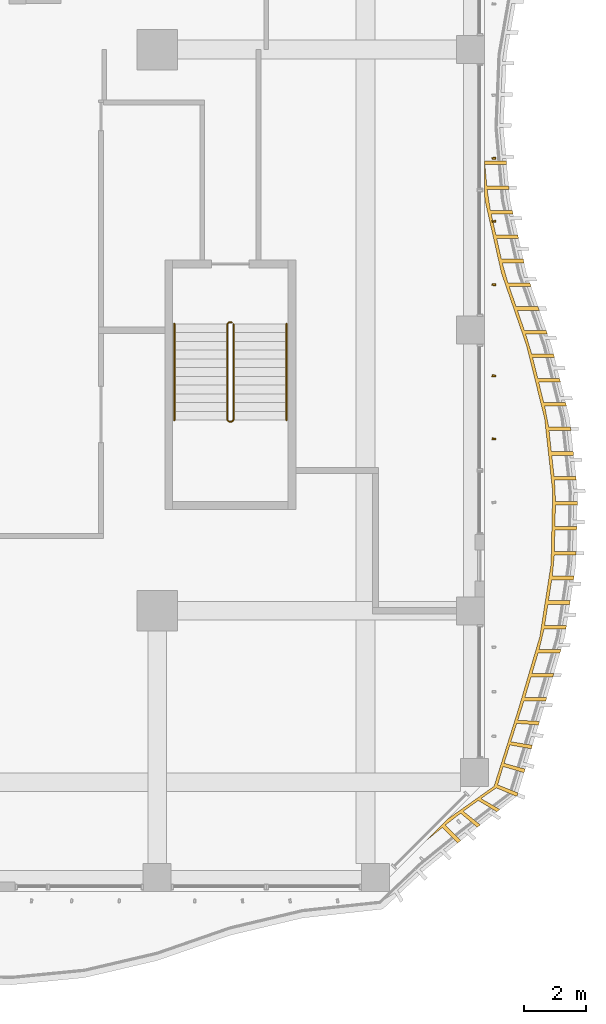
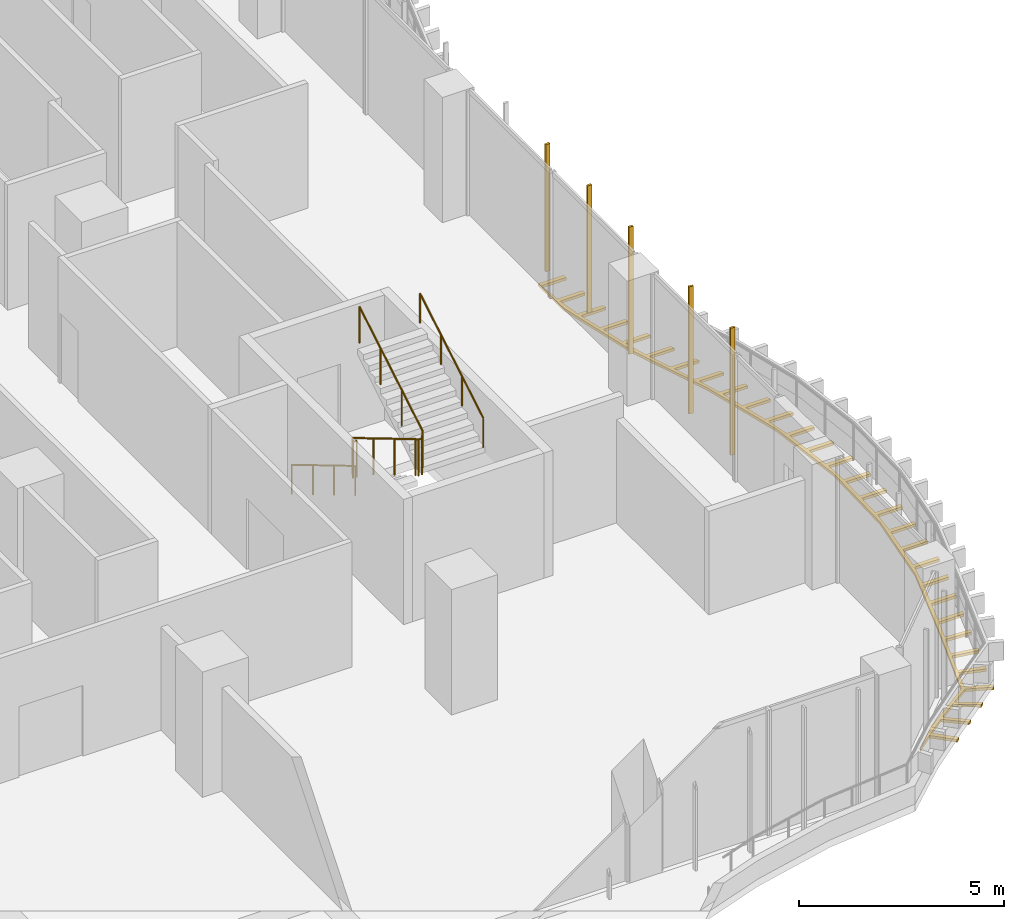
# One storey, part 23 of 27: 6 shading devices, 3 railings.
"""IFC4 building model written with IfcOpenShell, lengths in metres."""

import ifcopenshell
import ifcopenshell.guid

model = None  # the IFC model being written
_history = None  # IfcOwnerHistory: only IFC2X3 demands one
_inside = {}  # id of a spatial element -> (the spatial element, [elements in it])
_under = {}  # id of a project, library or spatial element -> (it, [spatial elements below it])
_declared = {}  # id of a project -> (the project, [libraries it declares])
_typed = {}  # id of a type object -> (the type object, [elements of that type])
_made_of = {}  # id of a material, layer set ... -> (it, [elements and type objects made of it])


def new_model(schema):
    """Start an empty IFC model of exactly this schema.

    Asked for "IFC4X3", IfcOpenShell would pick the latest addendum, in which some entities
    have other attributes; the version numbers below select the first issue.
    IFC2X3 requires an IfcOwnerHistory on every rooted entity: one is made here for all.
    """
    global model, _history
    if schema == "IFC4X3":
        model = ifcopenshell.file(schema_version=(4, 3, 0, 0))
    else:
        model = ifcopenshell.file(schema=schema)
    _inside.clear()
    _under.clear()
    _declared.clear()
    _typed.clear()
    _made_of.clear()
    _history = None
    if model.schema == "IFC2X3":
        org = make("IfcOrganization", Name="unknown")
        user = make(
            "IfcPersonAndOrganization",
            ThePerson=make("IfcPerson", FamilyName="unknown"),
            TheOrganization=org,
        )
        app = make(
            "IfcApplication",
            ApplicationDeveloper=org,
            Version="unknown",
            ApplicationFullName="unknown",
            ApplicationIdentifier="unknown",
        )
        _history = make(
            "IfcOwnerHistory",
            OwningUser=user,
            OwningApplication=app,
            ChangeAction="ADDED",
            CreationDate=0,
        )
    return model


def make(cls, **values):
    """One entity of the class cls with the attributes given. An attribute that is None is left unset."""
    return model.create_entity(
        cls, **{name: value for name, value in values.items() if value is not None}
    )


def rooted(cls, **values):
    """An entity with a GlobalId (a new one), such as an element, a storey or a relation."""
    return make(cls, GlobalId=ifcopenshell.guid.new(), OwnerHistory=_history, **values)


def si_unit(unit_type, name, prefix=None):
    """IfcSIUnit, for example si_unit("LENGTHUNIT", "METRE", prefix="MILLI")."""
    return make("IfcSIUnit", UnitType=unit_type, Prefix=prefix, Name=name)


def assignment(units):
    """IfcUnitAssignment: the units of a project."""
    return None if units is None else make("IfcUnitAssignment", Units=units)


def point(xyz):
    """IfcCartesianPoint."""
    return None if xyz is None else make("IfcCartesianPoint", Coordinates=xyz)


def direction(xyz):
    """IfcDirection."""
    return None if xyz is None else make("IfcDirection", DirectionRatios=xyz)


def frame(location, z_axis=None, x_axis=None):
    """IfcAxis2Placement3D, a coordinate frame: its origin and axes. An axis left out is left unset."""
    return make(
        "IfcAxis2Placement3D",
        Location=point(location),
        Axis=direction(z_axis),
        RefDirection=direction(x_axis),
    )


def frame_2d(location, x_axis=None):
    """IfcAxis2Placement2D, a coordinate frame in the plane: its origin and x axis."""
    return make(
        "IfcAxis2Placement2D", Location=point(location), RefDirection=direction(x_axis)
    )


def origin():
    """The frame at (0, 0, 0) with its axes left unset."""
    return frame((0.0, 0.0, 0.0))


def origin_2d():
    """The frame at (0, 0) in the plane with its x axis left unset."""
    return frame_2d((0.0, 0.0))


def place(relative_to, where):
    """IfcLocalPlacement: puts the frame where relative to a parent placement (None: the world)."""
    return make(
        "IfcLocalPlacement", PlacementRelTo=relative_to, RelativePlacement=where
    )


def context(
    kind, dimensions, precision=None, world=None, true_north=None, identifier=None
):
    """IfcGeometricRepresentationContext, for example the 3D "Model" context."""
    return make(
        "IfcGeometricRepresentationContext",
        ContextIdentifier=identifier,
        ContextType=kind,
        CoordinateSpaceDimension=dimensions,
        Precision=precision,
        WorldCoordinateSystem=world,
        TrueNorth=true_north,
    )


def subcontext(parent, identifier, kind, view, scale=None):
    """IfcGeometricRepresentationSubContext, for example "Body" below "Model"."""
    return make(
        "IfcGeometricRepresentationSubContext",
        ContextIdentifier=identifier,
        ContextType=kind,
        ParentContext=parent,
        TargetScale=scale,
        TargetView=view,
    )


def project(units=None, contexts=None):
    """IfcProject with its units and contexts."""
    return rooted(
        "IfcProject",
        Name="project",
        RepresentationContexts=contexts,
        UnitsInContext=assignment(units),
    )


def spatial(cls, under=None, at=None, **own):
    """A site, building, storey or space (cls), placed at a placement, below another one or the project."""
    s = rooted(cls, ObjectPlacement=at, **own)
    if under is not None:
        _under.setdefault(under.id(), (under, []))[1].append(s)
    return s


def polyline(points):
    """IfcPolyline through the points."""
    return make("IfcPolyline", Points=[point(p) for p in points])


def profile(cls, at=None, kind="AREA", **sizes):
    """A parametric profile (cls). Its sizes go by their IFC names, for example OverallWidth=200.0."""
    return make(cls, ProfileType=kind, Position=at, **sizes)


def rectangle(**sizes):
    """IfcRectangleProfileDef."""
    return profile("IfcRectangleProfileDef", **sizes)


def circle(**sizes):
    """IfcCircleProfileDef."""
    return profile("IfcCircleProfileDef", **sizes)


def outline(outer, holes=None, kind="AREA"):
    """IfcArbitraryClosedProfileDef: a profile drawn as a closed curve; with holes, ...WithVoids."""
    if holes is None:
        return make("IfcArbitraryClosedProfileDef", ProfileType=kind, OuterCurve=outer)
    return make(
        "IfcArbitraryProfileDefWithVoids",
        ProfileType=kind,
        OuterCurve=outer,
        InnerCurves=holes,
    )


def extrude(swept, where, along, depth):
    """IfcExtrudedAreaSolid: the profile swept, set in the frame where, extruded along a direction by depth."""
    return make(
        "IfcExtrudedAreaSolid",
        SweptArea=swept,
        Position=where,
        ExtrudedDirection=direction(along),
        Depth=depth,
    )


def shape(context_of_items, identifier, shape_type, items):
    """IfcShapeRepresentation: the items that make up one representation, for example the "Body"."""
    return make(
        "IfcShapeRepresentation",
        ContextOfItems=context_of_items,
        RepresentationIdentifier=identifier,
        RepresentationType=shape_type,
        Items=items,
    )


def source(mapping_origin, context_of_items, identifier, shape_type, items):
    """IfcRepresentationMap: a shape defined once, which mapped items show again and again."""
    return make(
        "IfcRepresentationMap",
        MappingOrigin=mapping_origin,
        MappedRepresentation=shape(context_of_items, identifier, shape_type, items),
    )


def transform(
    local_origin,
    x_axis=None,
    y_axis=None,
    z_axis=None,
    scale=None,
    scale2=None,
    scale3=None,
    uniform=True,
):
    """IfcCartesianTransformationOperator3D, or its non-uniform kind. x_axis, y_axis, z_axis: its Axis1, 2, 3."""
    if uniform:
        return make(
            "IfcCartesianTransformationOperator3D",
            Axis1=direction(x_axis),
            Axis2=direction(y_axis),
            LocalOrigin=point(local_origin),
            Scale=scale,
            Axis3=direction(z_axis),
        )
    return make(
        "IfcCartesianTransformationOperator3DnonUniform",
        Axis1=direction(x_axis),
        Axis2=direction(y_axis),
        LocalOrigin=point(local_origin),
        Scale=scale,
        Axis3=direction(z_axis),
        Scale2=scale2,
        Scale3=scale3,
    )


def mapped(mapping_source, mapping_target):
    """IfcMappedItem: shows the shape of a source again, moved by a transform."""
    return make(
        "IfcMappedItem", MappingSource=mapping_source, MappingTarget=mapping_target
    )


def material(Name=None, Category=None):
    """IfcMaterial."""
    return make("IfcMaterial", Name=Name, Category=Category)


def layer(
    of_material, thickness, ventilated=None, Name=None, Category=None, Priority=None
):
    """IfcMaterialLayer: one layer of a wall or slab, of a material (None: an air gap)."""
    return make(
        "IfcMaterialLayer",
        Material=of_material,
        LayerThickness=thickness,
        IsVentilated=ventilated,
        Name=Name,
        Category=Category,
        Priority=Priority,
    )


def layer_set(layers, Name=None):
    """IfcMaterialLayerSet."""
    return make("IfcMaterialLayerSet", MaterialLayers=layers, LayerSetName=Name)


def material_profile(
    of_material, cross_section, Name=None, Category=None, Priority=None
):
    """IfcMaterialProfile: a cross section and its material."""
    return make(
        "IfcMaterialProfile",
        Name=Name,
        Material=of_material,
        Profile=cross_section,
        Priority=Priority,
        Category=Category,
    )


def profile_set(profiles, Name=None, composite=None):
    """IfcMaterialProfileSet."""
    return make(
        "IfcMaterialProfileSet",
        Name=Name,
        MaterialProfiles=profiles,
        CompositeProfile=composite,
    )


def made_of(thing, what):
    """Note that an element or type object is made of a material, layer set ...; save() writes the relation."""
    if what is not None:
        _made_of.setdefault(what.id(), (what, []))[1].append(thing)
    return thing


def type_object(cls, material=None, **own):
    """A type object (cls), such as IfcWallType, which elements share."""
    return made_of(rooted(cls, **own), material)


def element(
    cls,
    number,
    at=None,
    inside=None,
    cuts=None,
    type_object=None,
    material=None,
    context=None,
    identifier="Body",
    shape_type=None,
    held_by="IfcProductDefinitionShape",
    body=None,
    shapes=None,
    **own,
):
    """One element of the class cls, such as IfcWall. Its Tag is "e" and its number.

    at: its placement. inside: the storey or other place that contains it. cuts: it is an
    opening in that element (IfcRelVoidsElement). A single representation is given by context,
    identifier, shape_type and body (its items); several are given by shapes. held_by: the class
    of the entity that holds the representations. save() writes the other relations.
    """
    e = rooted(cls, Tag="e%d" % number, ObjectPlacement=at, **own)
    if body is not None:
        shapes = [shape(context, identifier, shape_type, body)]
    if shapes is not None:
        e.Representation = make(held_by, Representations=shapes)
    if inside is not None:
        _inside.setdefault(inside.id(), (inside, []))[1].append(e)
    if cuts is not None:
        rooted(
            "IfcRelVoidsElement", RelatingBuildingElement=cuts, RelatedOpeningElement=e
        )
    if type_object is not None:
        _typed.setdefault(type_object.id(), (type_object, []))[1].append(e)
    return made_of(e, material)


def aggregate(whole, parts):
    """IfcRelAggregates: a whole, such as a stair, and the parts it consists of."""
    return rooted("IfcRelAggregates", RelatingObject=whole, RelatedObjects=parts)


def save(model, path):
    """Write the relations noted so far, then the file.

    IfcRelAggregates (storeys below a building ...), IfcRelContainedInSpatialStructure (elements
    in a storey), IfcRelDefinesByType, IfcRelAssociatesMaterial and IfcRelDeclares: one each for
    every whole, place, type object, material and project.
    """
    for whole, parts in _under.values():
        aggregate(whole, parts)
    for where, things in _inside.values():
        rooted(
            "IfcRelContainedInSpatialStructure",
            RelatedElements=things,
            RelatingStructure=where,
        )
    for kind, things in _typed.values():
        rooted("IfcRelDefinesByType", RelatedObjects=things, RelatingType=kind)
    for what, things in _made_of.values():
        rooted("IfcRelAssociatesMaterial", RelatedObjects=things, RelatingMaterial=what)
    for by, libraries in _declared.values():
        rooted("IfcRelDeclares", RelatingContext=by, RelatedDefinitions=libraries)
    model.write(path)


model = new_model("IFC4")

# Units and contexts
model_context = context("Model", 3, precision=1e-05, world=origin(), true_north=direction((0.0, 1.0)))
body_context = subcontext(model_context, "Body", "Model", "MODEL_VIEW")
ifc_project = project(units=[si_unit("LENGTHUNIT", "METRE"), si_unit("AREAUNIT", "SQUARE_METRE"), si_unit("VOLUMEUNIT", "CUBIC_METRE"), si_unit("PLANEANGLEUNIT", "RADIAN"), si_unit("MASSUNIT", "GRAM", prefix="KILO")], contexts=[model_context])

# Site, building, storey
site_placement = place(None, origin())
site = spatial("IfcSite", under=ifc_project, at=site_placement, CompositionType="ELEMENT")
building_placement = place(site_placement, origin())
building = spatial("IfcBuilding", under=site, at=building_placement, Name="Kilnfold Tower and Market Hall", CompositionType="ELEMENT")
storey_placement = place(building_placement, frame((0.0, 0.0, 43.0)))
storey = spatial("IfcBuildingStorey", under=building, at=storey_placement, Name="L09", CompositionType="ELEMENT", Elevation=43.0)

# Railings
ifc_material_1 = material(Name="Stainless steel 316", Category="steel")
railing_type_1 = type_object("IfcRailingType", Name="CORE STAIR GUARD 1100", PredefinedType="GUARDRAIL", material=ifc_material_1)
railing_1_placement = place(storey_placement, frame((19.89990234375, -9.75, 0.0)))
element("IfcRailing", 1, at=railing_1_placement, inside=storey, type_object=railing_type_1, Name="L09 ST4 stair guard 1", PredefinedType="GUARDRAIL", context=body_context, shape_type="SweptSolid", body=[
    extrude(circle(Radius=0.02392578125, at=origin_2d()), frame((0.0, 0.0, 1.076171875), z_axis=(-1.0, 0.0, 0.0), x_axis=(0.0, -1.0, 0.0)), (0.0, 0.0, 1.0), 0.099853515625),
    extrude(circle(Radius=0.02392578125, at=origin_2d()), frame((-0.099853515625, 0.0, 1.076171875), z_axis=(-0.27628659633, -0.27628659633, 0.920506074601), x_axis=(0.707106781187, -0.707106781187, 0.0)), (0.0, 0.0, 1.0), 0.18115234375),
    extrude(circle(Radius=0.02392578125, at=origin_2d()), frame((-0.14990234375, -0.050048828125, 1.24267578125), z_axis=(0.0, -0.859290745958, 0.51148745235), x_axis=(1.0, 0.0, 0.0)), (0.0, 0.0, 1.0), 3.584228515625),
    extrude(circle(Radius=0.02392578125, at=origin_2d()), frame((-0.14990234375, -3.1298828125, 3.076171875), z_axis=(0.707106781187, -0.707106781187, 0.0), x_axis=(0.707106781187, 0.707106781187, 0.0)), (0.0, 0.0, 1.0), 0.07080078125),
    extrude(circle(Radius=0.02392578125, at=origin_2d()), frame((-0.099853515625, -3.179931640625, 3.076171875), z_axis=(1.0, 0.0, 0.0), x_axis=(0.0, 1.0, 0.0)), (0.0, 0.0, 1.0), 0.099853515625),
    extrude(circle(Radius=0.02392578125, at=origin_2d()), frame((0.0, -3.179931640625, 3.076171875), z_axis=(0.27628659633, 0.27628659633, 0.920506074601), x_axis=(-0.707106781187, 0.707106781187, 0.0)), (0.0, 0.0, 1.0), 0.18115234375),
    extrude(circle(Radius=0.02392578125, at=origin_2d()), frame((0.050048828125, -3.1298828125, 3.24267578125), z_axis=(0.0, 0.859290745958, 0.51148745235), x_axis=(-1.0, 0.0, 0.0)), (0.0, 0.0, 1.0), 3.584228515625),
    extrude(circle(Radius=0.02099609375, at=origin_2d()), origin(), (0.0, 0.0, 1.0), 1.052001953125),
    extrude(circle(Radius=0.02099609375, at=origin_2d()), frame((-0.099853515625, 0.0, 0.0)), (0.0, 0.0, 1.0), 1.052001953125),
    extrude(circle(Radius=0.02099609375, at=origin_2d()), frame((-0.14990234375, -0.050048828125, 0.166748046875)), (0.0, 0.0, 1.0), 1.052001953125),
    extrude(circle(Radius=0.02099609375, at=origin_2d()), frame((-0.14990234375, -1.07666015625, 0.77783203125)), (0.0, 0.0, 1.0), 1.052001953125),
    extrude(circle(Radius=0.02099609375, at=origin_2d()), frame((-0.14990234375, -2.103271484375, 1.388916015625)), (0.0, 0.0, 1.0), 1.052001953125),
    extrude(circle(Radius=0.02099609375, at=origin_2d()), frame((-0.14990234375, -3.1298828125, 2.0)), (0.0, 0.0, 1.0), 1.052001953125),
    extrude(circle(Radius=0.02099609375, at=origin_2d()), frame((-0.099853515625, -3.179931640625, 2.0)), (0.0, 0.0, 1.0), 1.052001953125),
    extrude(circle(Radius=0.02099609375, at=origin_2d()), frame((0.0, -3.179931640625, 2.0)), (0.0, 0.0, 1.0), 1.052001953125),
    extrude(circle(Radius=0.02099609375, at=origin_2d()), frame((0.050048828125, -3.1298828125, 2.166748046875)), (0.0, 0.0, 1.0), 1.052001953125),
    extrude(circle(Radius=0.02099609375, at=origin_2d()), frame((0.050048828125, -2.103271484375, 2.77783203125)), (0.0, 0.0, 1.0), 1.052001953125),
    extrude(circle(Radius=0.02099609375, at=origin_2d()), frame((0.050048828125, -1.07666015625, 3.388916015625)), (0.0, 0.0, 1.0), 1.052001953125),
    extrude(circle(Radius=0.02099609375, at=origin_2d()), frame((0.050048828125, -0.050048828125, 4.0)), (0.0, 0.0, 1.0), 1.052001953125),
])
ifc_material_2 = material(Name="Stainless steel 316", Category="steel")
railing_type_2 = type_object("IfcRailingType", Name="CORE STAIR HANDRAIL 900", PredefinedType="HANDRAIL", material=ifc_material_2)
railing_2_placement = place(storey_placement, frame((18.050048828125, -9.800048828125, 0.166748046875)))
element("IfcRailing", 2, at=railing_2_placement, inside=storey, type_object=railing_type_2, Name="L09 ST4 stair handrail 1", PredefinedType="HANDRAIL", context=body_context, shape_type="SweptSolid", body=[
    extrude(circle(Radius=0.02392578125, at=origin_2d()), frame((0.0, 0.0, 0.8759765625), z_axis=(0.0, -0.859290745958, 0.51148745235), x_axis=(1.0, 0.0, 0.0)), (0.0, 0.0, 1.0), 3.584228515625),
    extrude(circle(Radius=0.02099609375, at=origin_2d()), origin(), (0.0, 0.0, 1.0), 0.851806640625),
    extrude(circle(Radius=0.02099609375, at=origin_2d()), frame((0.0, -1.026611328125, 0.611083984375)), (0.0, 0.0, 1.0), 0.851806640625),
    extrude(circle(Radius=0.02099609375, at=origin_2d()), frame((0.0, -2.05322265625, 1.22216796875)), (0.0, 0.0, 1.0), 0.851806640625),
    extrude(circle(Radius=0.02099609375, at=origin_2d()), frame((0.0, -3.079833984375, 1.833251953125)), (0.0, 0.0, 1.0), 0.851806640625),
])
railing_3_placement = place(storey_placement, frame((21.64990234375, -12.8798828125, 2.166748046875)))
element("IfcRailing", 3, at=railing_3_placement, inside=storey, type_object=railing_type_2, Name="L09 ST4 stair handrail 2", PredefinedType="HANDRAIL", context=body_context, shape_type="SweptSolid", body=[
    extrude(circle(Radius=0.02392578125, at=origin_2d()), frame((0.0, 0.0, 0.8759765625), z_axis=(0.0, 0.859290745958, 0.51148745235), x_axis=(-1.0, 0.0, 0.0)), (0.0, 0.0, 1.0), 3.584228515625),
    extrude(circle(Radius=0.02099609375, at=origin_2d()), origin(), (0.0, 0.0, 1.0), 0.851806640625),
    extrude(circle(Radius=0.02099609375, at=origin_2d()), frame((0.0, 1.026611328125, 0.611083984375)), (0.0, 0.0, 1.0), 0.851806640625),
    extrude(circle(Radius=0.02099609375, at=origin_2d()), frame((0.0, 2.05322265625, 1.22216796875)), (0.0, 0.0, 1.0), 0.851806640625),
    extrude(circle(Radius=0.02099609375, at=origin_2d()), frame((0.0, 3.079833984375, 1.833251953125)), (0.0, 0.0, 1.0), 0.851806640625),
])

# Shading devices
ifc_material_3 = material(Name="Terracotta", Category="masonry")
ifc_material_profile = material_profile(ifc_material_3, rectangle(XDim=0.06005859375, YDim=0.1201171875, at=origin_2d()), Name="BAG 60x120")
ifc_profile_set = profile_set([ifc_material_profile], Name="Terracotta")
shading_device_type_1 = type_object("IfcShadingDeviceType", Name="BAGUETTE", PredefinedType="USERDEFINED", material=ifc_profile_set)
shared_shape_1 = source(origin(), body_context, "Body", "SweptSolid", [
    extrude(rectangle(XDim=0.06005859375, YDim=0.1201171875, at=origin_2d()), origin(), (0.0, 0.0, 1.0), 3.780029296875),
])
for number, where, z_axis, x_axis, name in (
    (4, (28.300048828125, -13.487548828125, 0.0), (0.0, 0.0, 1.0), (0.03739368586, 0.999300611557, 0.0), "Terracotta baguette L09 E"),
    (5, (28.300048828125, -11.46240234375, 0.0), (0.0, 0.0, 1.0), (0.128741941816, 0.991678129444, 0.0), "Terracotta baguette L09 E"),
    (6, (28.300048828125, -8.53759765625, 0.0), (0.0, 0.0, 1.0), (0.084272637573, 0.996442734208, 0.0), "Terracotta baguette L09 E"),
    (7, (28.300048828125, -6.512451171875, 0.0), (0.0, 0.0, 1.0), (-0.035883245684, 0.999355988964, 0.0), "Terracotta baguette L09 E"),
    (8, (28.300048828125, -4.487548828125, 0.0), (0.0, 0.0, 1.0), (-0.12814132896, 0.991755917458, 0.0), "Terracotta baguette L09 E"),
):
    element("IfcShadingDevice", number, at=place(storey_placement, frame(where, z_axis=z_axis, x_axis=x_axis)), inside=storey, type_object=shading_device_type_1, Name=name, ObjectType="BAGUETTE", PredefinedType="USERDEFINED", context=body_context, shape_type="MappedRepresentation", body=[
        mapped(shared_shape_1, transform((0.0, 0.0, 0.0))),
    ])
ifc_material_4 = material(Name="Bronze anodised aluminium", Category="aluminium")
ifc_layer = layer(ifc_material_4, 0.080078125)
ifc_layer_set = layer_set([ifc_layer], Name="Bronze anodised aluminium")
shading_device_type_2 = type_object("IfcShadingDeviceType", Name="BRONZE SLAT SOFFIT 80", PredefinedType="USERDEFINED", material=ifc_layer_set)
shared_shape_2 = source(origin(), body_context, "Body", "SweptSolid", [
    extrude(outline(polyline([(28.303955078125, -24.6259765625), (29.08056640625, -22.166748046875), (29.771240234375, -19.833251953125), (30.132080078125, -17.5), (30.18310546875, -15.166748046875), (29.9267578125, -12.833251953125), (29.349365234375, -10.5), (28.541259765625, -8.166748046875), (28.014404296875, -5.833251953125), (28.0, -5.673828125), (28.0, -4.55908203125), (28.001220703125, -4.573486328125), (28.701416015625, -4.573486328125), (28.7119140625, -4.693115234375), (28.011962890625, -4.693115234375), (28.07275390625, -5.370361328125), (28.772705078125, -5.370361328125), (28.783447265625, -5.48974609375), (28.08349609375, -5.48974609375), (28.18798828125, -6.16015625), (28.88818359375, -6.16015625), (28.91455078125, -6.27734375), (28.214599609375, -6.27734375), (28.364501953125, -6.940673828125), (29.064453125, -6.940673828125), (29.0908203125, -7.0576171875), (28.390869140625, -7.0576171875), (28.54052734375, -7.720947265625), (29.240478515625, -7.720947265625), (29.26708984375, -7.837890625), (28.567138671875, -7.837890625), (28.75341796875, -8.49072265625), (29.45361328125, -8.49072265625), (29.492919921875, -8.604248046875), (28.792724609375, -8.604248046875), (29.015380859375, -9.24658203125), (29.71533203125, -9.24658203125), (29.754638671875, -9.360107421875), (29.0546875, -9.360107421875), (29.277099609375, -10.002685546875), (29.977294921875, -10.002685546875), (30.016357421875, -10.1162109375), (29.31640625, -10.1162109375), (29.51513671875, -10.765625), (30.215087890625, -10.765625), (30.243896484375, -10.882080078125), (29.5439453125, -10.882080078125), (29.707275390625, -11.542236328125), (30.4072265625, -11.542236328125), (30.43603515625, -11.65869140625), (29.736083984375, -11.65869140625), (29.8994140625, -12.31884765625), (30.599609375, -12.31884765625), (30.62841796875, -12.435302734375), (29.92822265625, -12.435302734375), (30.056396484375, -13.101806640625), (30.75634765625, -13.101806640625), (30.769287109375, -13.220947265625), (30.0693359375, -13.220947265625), (30.1435546875, -13.89697265625), (30.843505859375, -13.89697265625), (30.8486328125, -13.942138671875), (30.856689453125, -14.01611328125), (30.15673828125, -14.01611328125), (30.23095703125, -14.692138671875), (30.930908203125, -14.692138671875), (30.944091796875, -14.811279296875), (30.243896484375, -14.811279296875), (30.27587890625, -15.4892578125), (30.97607421875, -15.4892578125), (30.973388671875, -15.609130859375), (30.273193359375, -15.609130859375), (30.258544921875, -16.2890625), (30.95849609375, -16.2890625), (30.957275390625, -16.3447265625), (30.955810546875, -16.408935546875), (30.255859375, -16.408935546875), (30.2412109375, -17.0888671875), (30.941162109375, -17.0888671875), (30.9384765625, -17.208740234375), (30.238525390625, -17.208740234375), (30.172607421875, -17.88427734375), (30.872802734375, -17.88427734375), (30.8544921875, -18.002685546875), (30.154296875, -18.002685546875), (30.05029296875, -18.6748046875), (30.75048828125, -18.6748046875), (30.732177734375, -18.79345703125), (30.031982421875, -18.79345703125), (29.92822265625, -19.46533203125), (30.628173828125, -19.46533203125), (30.60986328125, -19.583984375), (29.909912109375, -19.583984375), (29.75, -20.243408203125), (30.449951171875, -20.243408203125), (30.415771484375, -20.3583984375), (29.7158203125, -20.3583984375), (29.522705078125, -21.010498046875), (30.222900390625, -21.010498046875), (30.188720703125, -21.12548828125), (29.48876953125, -21.12548828125), (29.295654296875, -21.777587890625), (29.99560546875, -21.777587890625), (29.961669921875, -21.892578125), (29.26171875, -21.892578125), (29.067138671875, -22.507080078125), (29.76611328125, -22.5439453125), (29.7314453125, -22.65869140625), (29.033203125, -22.610595703125), (28.843505859375, -23.19677734375), (29.5341796875, -23.309814453125), (29.49951171875, -23.424560546875), (28.810791015625, -23.30029296875), (28.628173828125, -23.88720703125), (29.302490234375, -24.0751953125), (29.267578125, -24.190185546875), (28.5966796875, -23.9912109375), (28.42041015625, -24.581298828125), (29.070556640625, -24.841064453125), (29.04296875, -24.931884765625), (29.0234375, -24.947509765625), (28.3779296875, -24.676513671875), (27.884033203125, -25.01904296875), (28.489990234375, -25.369384765625), (28.39599609375, -25.443603515625), (27.798095703125, -25.079833984375), (27.31640625, -25.427734375), (27.86279296875, -25.865478515625), (27.7685546875, -25.93994140625), (27.232421875, -25.489990234375), (26.741943359375, -25.868896484375), (27.23681640625, -26.364013671875), (27.143798828125, -26.439453125), (26.648681640625, -25.944580078125), (26.15234375, -26.34765625), (26.833984375, -25.666015625), (28.303955078125, -24.6259765625)])), origin(), (0.0, 0.0, 1.0), 0.080078125),
])
shading_device_placement = place(storey_placement, frame((0.0, 0.0, -0.300048828125)))
element("IfcShadingDevice", 9, at=shading_device_placement, inside=storey, type_object=shading_device_type_2, Name="Balcony soffit slats L09", ObjectType="SLAT", PredefinedType="USERDEFINED", context=body_context, shape_type="MappedRepresentation", body=[
    mapped(shared_shape_2, transform((0.0, 0.0, 0.0))),
])

save(model, "model.ifc")
